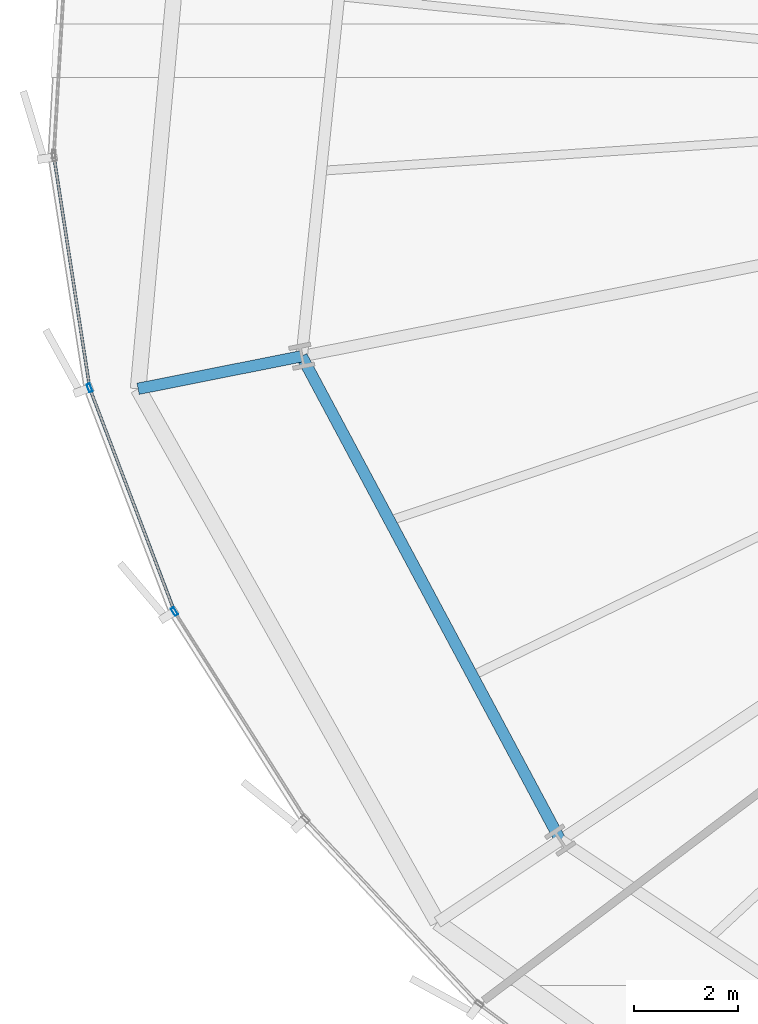
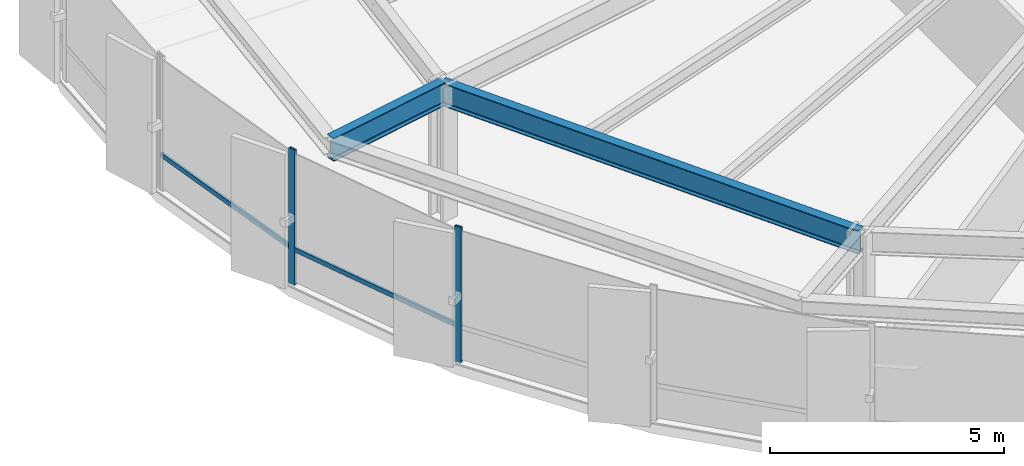
# One storey, part 7 of 39: 4 members, 2 beams, 1 element without a shape of its own.
"""IFC4 building model written with IfcOpenShell, lengths in metres."""

import ifcopenshell
import ifcopenshell.guid

model = None  # the IFC model being written
_history = None  # IfcOwnerHistory: only IFC2X3 demands one
_inside = {}  # id of a spatial element -> (the spatial element, [elements in it])
_under = {}  # id of a project, library or spatial element -> (it, [spatial elements below it])
_declared = {}  # id of a project -> (the project, [libraries it declares])
_typed = {}  # id of a type object -> (the type object, [elements of that type])
_made_of = {}  # id of a material, layer set ... -> (it, [elements and type objects made of it])


def new_model(schema):
    """Start an empty IFC model of exactly this schema.

    Asked for "IFC4X3", IfcOpenShell would pick the latest addendum, in which some entities
    have other attributes; the version numbers below select the first issue.
    IFC2X3 requires an IfcOwnerHistory on every rooted entity: one is made here for all.
    """
    global model, _history
    if schema == "IFC4X3":
        model = ifcopenshell.file(schema_version=(4, 3, 0, 0))
    else:
        model = ifcopenshell.file(schema=schema)
    _inside.clear()
    _under.clear()
    _declared.clear()
    _typed.clear()
    _made_of.clear()
    _history = None
    if model.schema == "IFC2X3":
        org = make("IfcOrganization", Name="unknown")
        user = make(
            "IfcPersonAndOrganization",
            ThePerson=make("IfcPerson", FamilyName="unknown"),
            TheOrganization=org,
        )
        app = make(
            "IfcApplication",
            ApplicationDeveloper=org,
            Version="unknown",
            ApplicationFullName="unknown",
            ApplicationIdentifier="unknown",
        )
        _history = make(
            "IfcOwnerHistory",
            OwningUser=user,
            OwningApplication=app,
            ChangeAction="ADDED",
            CreationDate=0,
        )
    return model


def make(cls, **values):
    """One entity of the class cls with the attributes given. An attribute that is None is left unset."""
    return model.create_entity(
        cls, **{name: value for name, value in values.items() if value is not None}
    )


def rooted(cls, **values):
    """An entity with a GlobalId (a new one), such as an element, a storey or a relation."""
    return make(cls, GlobalId=ifcopenshell.guid.new(), OwnerHistory=_history, **values)


def si_unit(unit_type, name, prefix=None):
    """IfcSIUnit, for example si_unit("LENGTHUNIT", "METRE", prefix="MILLI")."""
    return make("IfcSIUnit", UnitType=unit_type, Prefix=prefix, Name=name)


def assignment(units):
    """IfcUnitAssignment: the units of a project."""
    return None if units is None else make("IfcUnitAssignment", Units=units)


def point(xyz):
    """IfcCartesianPoint."""
    return None if xyz is None else make("IfcCartesianPoint", Coordinates=xyz)


def direction(xyz):
    """IfcDirection."""
    return None if xyz is None else make("IfcDirection", DirectionRatios=xyz)


def frame(location, z_axis=None, x_axis=None):
    """IfcAxis2Placement3D, a coordinate frame: its origin and axes. An axis left out is left unset."""
    return make(
        "IfcAxis2Placement3D",
        Location=point(location),
        Axis=direction(z_axis),
        RefDirection=direction(x_axis),
    )


def frame_2d(location, x_axis=None):
    """IfcAxis2Placement2D, a coordinate frame in the plane: its origin and x axis."""
    return make(
        "IfcAxis2Placement2D", Location=point(location), RefDirection=direction(x_axis)
    )


def origin():
    """The frame at (0, 0, 0) with its axes left unset."""
    return frame((0.0, 0.0, 0.0))


def origin_2d():
    """The frame at (0, 0) in the plane with its x axis left unset."""
    return frame_2d((0.0, 0.0))


def place(relative_to, where):
    """IfcLocalPlacement: puts the frame where relative to a parent placement (None: the world)."""
    return make(
        "IfcLocalPlacement", PlacementRelTo=relative_to, RelativePlacement=where
    )


def context(
    kind, dimensions, precision=None, world=None, true_north=None, identifier=None
):
    """IfcGeometricRepresentationContext, for example the 3D "Model" context."""
    return make(
        "IfcGeometricRepresentationContext",
        ContextIdentifier=identifier,
        ContextType=kind,
        CoordinateSpaceDimension=dimensions,
        Precision=precision,
        WorldCoordinateSystem=world,
        TrueNorth=true_north,
    )


def subcontext(parent, identifier, kind, view, scale=None):
    """IfcGeometricRepresentationSubContext, for example "Body" below "Model"."""
    return make(
        "IfcGeometricRepresentationSubContext",
        ContextIdentifier=identifier,
        ContextType=kind,
        ParentContext=parent,
        TargetScale=scale,
        TargetView=view,
    )


def project(units=None, contexts=None):
    """IfcProject with its units and contexts."""
    return rooted(
        "IfcProject",
        Name="project",
        RepresentationContexts=contexts,
        UnitsInContext=assignment(units),
    )


def spatial(cls, under=None, at=None, **own):
    """A site, building, storey or space (cls), placed at a placement, below another one or the project."""
    s = rooted(cls, ObjectPlacement=at, **own)
    if under is not None:
        _under.setdefault(under.id(), (under, []))[1].append(s)
    return s


def profile(cls, at=None, kind="AREA", **sizes):
    """A parametric profile (cls). Its sizes go by their IFC names, for example OverallWidth=200.0."""
    return make(cls, ProfileType=kind, Position=at, **sizes)


def hollow_rectangle(**sizes):
    """IfcRectangleHollowProfileDef."""
    return profile("IfcRectangleHollowProfileDef", **sizes)


def i_section(**sizes):
    """IfcIShapeProfileDef."""
    return profile("IfcIShapeProfileDef", **sizes)


def extrude(swept, where, along, depth):
    """IfcExtrudedAreaSolid: the profile swept, set in the frame where, extruded along a direction by depth."""
    return make(
        "IfcExtrudedAreaSolid",
        SweptArea=swept,
        Position=where,
        ExtrudedDirection=direction(along),
        Depth=depth,
    )


def shape(context_of_items, identifier, shape_type, items):
    """IfcShapeRepresentation: the items that make up one representation, for example the "Body"."""
    return make(
        "IfcShapeRepresentation",
        ContextOfItems=context_of_items,
        RepresentationIdentifier=identifier,
        RepresentationType=shape_type,
        Items=items,
    )


def source(mapping_origin, context_of_items, identifier, shape_type, items):
    """IfcRepresentationMap: a shape defined once, which mapped items show again and again."""
    return make(
        "IfcRepresentationMap",
        MappingOrigin=mapping_origin,
        MappedRepresentation=shape(context_of_items, identifier, shape_type, items),
    )


def transform(
    local_origin,
    x_axis=None,
    y_axis=None,
    z_axis=None,
    scale=None,
    scale2=None,
    scale3=None,
    uniform=True,
):
    """IfcCartesianTransformationOperator3D, or its non-uniform kind. x_axis, y_axis, z_axis: its Axis1, 2, 3."""
    if uniform:
        return make(
            "IfcCartesianTransformationOperator3D",
            Axis1=direction(x_axis),
            Axis2=direction(y_axis),
            LocalOrigin=point(local_origin),
            Scale=scale,
            Axis3=direction(z_axis),
        )
    return make(
        "IfcCartesianTransformationOperator3DnonUniform",
        Axis1=direction(x_axis),
        Axis2=direction(y_axis),
        LocalOrigin=point(local_origin),
        Scale=scale,
        Axis3=direction(z_axis),
        Scale2=scale2,
        Scale3=scale3,
    )


def mapped(mapping_source, mapping_target):
    """IfcMappedItem: shows the shape of a source again, moved by a transform."""
    return make(
        "IfcMappedItem", MappingSource=mapping_source, MappingTarget=mapping_target
    )


def material(Name=None, Category=None):
    """IfcMaterial."""
    return make("IfcMaterial", Name=Name, Category=Category)


def layer(
    of_material, thickness, ventilated=None, Name=None, Category=None, Priority=None
):
    """IfcMaterialLayer: one layer of a wall or slab, of a material (None: an air gap)."""
    return make(
        "IfcMaterialLayer",
        Material=of_material,
        LayerThickness=thickness,
        IsVentilated=ventilated,
        Name=Name,
        Category=Category,
        Priority=Priority,
    )


def layer_set(layers, Name=None):
    """IfcMaterialLayerSet."""
    return make("IfcMaterialLayerSet", MaterialLayers=layers, LayerSetName=Name)


def material_profile(
    of_material, cross_section, Name=None, Category=None, Priority=None
):
    """IfcMaterialProfile: a cross section and its material."""
    return make(
        "IfcMaterialProfile",
        Name=Name,
        Material=of_material,
        Profile=cross_section,
        Priority=Priority,
        Category=Category,
    )


def profile_set(profiles, Name=None, composite=None):
    """IfcMaterialProfileSet."""
    return make(
        "IfcMaterialProfileSet",
        Name=Name,
        MaterialProfiles=profiles,
        CompositeProfile=composite,
    )


def made_of(thing, what):
    """Note that an element or type object is made of a material, layer set ...; save() writes the relation."""
    if what is not None:
        _made_of.setdefault(what.id(), (what, []))[1].append(thing)
    return thing


def type_object(cls, material=None, **own):
    """A type object (cls), such as IfcWallType, which elements share."""
    return made_of(rooted(cls, **own), material)


def element(
    cls,
    number,
    at=None,
    inside=None,
    cuts=None,
    type_object=None,
    material=None,
    context=None,
    identifier="Body",
    shape_type=None,
    held_by="IfcProductDefinitionShape",
    body=None,
    shapes=None,
    **own,
):
    """One element of the class cls, such as IfcWall. Its Tag is "e" and its number.

    at: its placement. inside: the storey or other place that contains it. cuts: it is an
    opening in that element (IfcRelVoidsElement). A single representation is given by context,
    identifier, shape_type and body (its items); several are given by shapes. held_by: the class
    of the entity that holds the representations. save() writes the other relations.
    """
    e = rooted(cls, Tag="e%d" % number, ObjectPlacement=at, **own)
    if body is not None:
        shapes = [shape(context, identifier, shape_type, body)]
    if shapes is not None:
        e.Representation = make(held_by, Representations=shapes)
    if inside is not None:
        _inside.setdefault(inside.id(), (inside, []))[1].append(e)
    if cuts is not None:
        rooted(
            "IfcRelVoidsElement", RelatingBuildingElement=cuts, RelatedOpeningElement=e
        )
    if type_object is not None:
        _typed.setdefault(type_object.id(), (type_object, []))[1].append(e)
    return made_of(e, material)


def aggregate(whole, parts):
    """IfcRelAggregates: a whole, such as a stair, and the parts it consists of."""
    return rooted("IfcRelAggregates", RelatingObject=whole, RelatedObjects=parts)


def save(model, path):
    """Write the relations noted so far, then the file.

    IfcRelAggregates (storeys below a building ...), IfcRelContainedInSpatialStructure (elements
    in a storey), IfcRelDefinesByType, IfcRelAssociatesMaterial and IfcRelDeclares: one each for
    every whole, place, type object, material and project.
    """
    for whole, parts in _under.values():
        aggregate(whole, parts)
    for where, things in _inside.values():
        rooted(
            "IfcRelContainedInSpatialStructure",
            RelatedElements=things,
            RelatingStructure=where,
        )
    for kind, things in _typed.values():
        rooted("IfcRelDefinesByType", RelatedObjects=things, RelatingType=kind)
    for what, things in _made_of.values():
        rooted("IfcRelAssociatesMaterial", RelatedObjects=things, RelatingMaterial=what)
    for by, libraries in _declared.values():
        rooted("IfcRelDeclares", RelatingContext=by, RelatedDefinitions=libraries)
    model.write(path)


model = new_model("IFC4")

# Units and contexts
model_context = context("Model", 3, precision=1e-05, world=origin(), true_north=direction((0.0, 1.0)))
body_context = subcontext(model_context, "Body", "Model", "MODEL_VIEW")
ifc_project = project(units=[si_unit("LENGTHUNIT", "METRE"), si_unit("AREAUNIT", "SQUARE_METRE"), si_unit("VOLUMEUNIT", "CUBIC_METRE"), si_unit("PLANEANGLEUNIT", "RADIAN"), si_unit("MASSUNIT", "GRAM", prefix="KILO"), si_unit("THERMODYNAMICTEMPERATUREUNIT", "KELVIN")], contexts=[model_context])

# Site, building, storey
site_placement = place(None, origin())
site = spatial("IfcSite", under=ifc_project, at=site_placement, CompositionType="ELEMENT")
building_placement = place(site_placement, origin())
building = spatial("IfcBuilding", under=site, at=building_placement, Name="Kethvar Cultural Tower", CompositionType="ELEMENT")
storey_placement = place(building_placement, frame((0.0, 0.0, 41.0)))
storey = spatial("IfcBuildingStorey", under=building, at=storey_placement, Name="L09", CompositionType="ELEMENT", Elevation=41.0)

# Beams
ifc_material_1 = material(Name="Steel S355J2", Category="steel")
ifc_material_profile_1 = material_profile(ifc_material_1, i_section(OverallWidth=0.219970703125, OverallDepth=0.60009765625, WebThickness=0.011962890625, FlangeThickness=0.01904296875, FilletRadius=0.02392578125, at=origin_2d()), Name="Steel S355J2 — IPE600")
ifc_profile_set_1 = profile_set([ifc_material_profile_1], Name="Steel S355J2 — IPE600")
beam_type = type_object("IfcBeamType", Name="BM-IPE600", PredefinedType="BEAM", material=ifc_profile_set_1)
shared_shape_1 = source(origin(), body_context, "Body", "SweptSolid", [
    extrude(i_section(OverallWidth=0.219970703125, OverallDepth=0.60009765625, WebThickness=0.011962890625, FlangeThickness=0.01904296875, FilletRadius=0.02392578125, at=origin_2d()), origin(), (0.0, 0.0, 1.0), 3.199951171875),
])
beam_1_placement = place(storey_placement, frame((19.9658203125, 22.46240234375, 3.248046875), z_axis=(-0.980785550224, -0.195088965533, 0.0), x_axis=(0.195088965533, -0.980785550224, 0.0)))
element("IfcBeam", 1, at=beam_1_placement, inside=storey, type_object=beam_type, Name="L09 Perimeter Cantilever Beam RC-09", PredefinedType="BEAM", context=body_context, shape_type="MappedRepresentation", body=[
    mapped(shared_shape_1, transform((0.0, 0.0, 0.0), scale=1.0)),
])
shared_shape_2 = source(origin(), body_context, "Body", "SweptSolid", [
    extrude(i_section(OverallWidth=0.219970703125, OverallDepth=0.60009765625, WebThickness=0.011962890625, FlangeThickness=0.01904296875, FilletRadius=0.02392578125, at=origin_2d()), origin(), (0.0, 0.0, 1.0), 10.52099609375),
])
beam_2_placement = place(storey_placement, frame((19.9658203125, 22.46240234375, 3.248046875), z_axis=(0.471339616984, -0.881951793162, 0.0), x_axis=(0.881951793162, 0.471339616984, 0.0)))
element("IfcBeam", 2, at=beam_2_placement, inside=storey, type_object=beam_type, Name="L09 Column Ring Tie Beam CR-09", PredefinedType="BEAM", context=body_context, shape_type="MappedRepresentation", body=[
    mapped(shared_shape_2, transform((0.0, 0.0, 0.0), scale=1.0)),
])

# Curtain wall, members
ifc_material_2 = material(Name="Aluminium 6063-T6", Category="aluminium")
ifc_layer = layer(ifc_material_2, 0.179931640625, Name="Aluminium 6063-T6", Category="aluminium")
ifc_layer_set = layer_set([ifc_layer], Name="Aluminium 6063-T6 (180 mm)")
curtain_wall_type = type_object("IfcCurtainWallType", Name="CW-SYS-02-Z1", PredefinedType="NOTDEFINED", material=ifc_layer_set)
curtain_wall_placement = place(storey_placement, origin())
curtain_wall = element("IfcCurtainWall", 3, at=curtain_wall_placement, inside=storey, type_object=curtain_wall_type, Name="L09 Curtain Wall Run 04", PredefinedType="NOTDEFINED")
ifc_material_profile_2 = material_profile(ifc_material_2, hollow_rectangle(XDim=0.06494140625, YDim=0.159912109375, WallThickness=0.0048828125, at=origin_2d()), Name="Aluminium 6063-T6 — RHS160x65x5")
ifc_profile_set_2 = profile_set([ifc_material_profile_2], Name="Aluminium 6063-T6 — RHS160x65x5")
member_type_1 = type_object("IfcMemberType", Name="CW-SYS-02-Z1-MUL", PredefinedType="MULLION", material=ifc_profile_set_2)
shared_shape_3 = source(origin(), body_context, "Body", "SweptSolid", [
    extrude(hollow_rectangle(XDim=0.06494140625, YDim=0.159912109375, WallThickness=0.0048828125, at=origin_2d()), origin(), (0.0, 0.0, 1.0), 3.550048828125),
])
member_1_placement = place(storey_placement, frame((15.897216796875, 21.85595703125, 0.0), z_axis=(0.0, 0.0, 1.0), x_axis=(0.934819478468, 0.35512327814, 0.0)))
member_1 = element("IfcMember", 4, at=member_1_placement, type_object=member_type_1, Name="CW-L09-R04 Mullion 2", PredefinedType="MULLION", context=body_context, shape_type="MappedRepresentation", body=[
    mapped(shared_shape_3, transform((0.0, 0.0, 0.0), scale=1.0)),
])
member_2_placement = place(storey_placement, frame((17.523193359375, 17.568359375, 0.0), z_axis=(0.0, 0.0, 1.0), x_axis=(0.844953928181, 0.5348390966, 0.0)))
member_2 = element("IfcMember", 5, at=member_2_placement, type_object=member_type_1, Name="CW-L09-R04 Mullion 3", PredefinedType="MULLION", context=body_context, shape_type="MappedRepresentation", body=[
    mapped(shared_shape_3, transform((0.0, 0.0, 0.0), scale=1.0)),
])
ifc_material_profile_3 = material_profile(ifc_material_2, hollow_rectangle(XDim=0.054931640625, YDim=0.1201171875, WallThickness=0.00390625, at=origin_2d()), Name="Aluminium 6063-T6 — RHS120x55x4")
ifc_profile_set_3 = profile_set([ifc_material_profile_3], Name="Aluminium 6063-T6 — RHS120x55x4")
member_type_2 = type_object("IfcMemberType", Name="CW-SYS-02-Z1-TRN", PredefinedType="USERDEFINED", material=ifc_profile_set_3)
shared_shape_4 = source(origin(), body_context, "Body", "SweptSolid", [
    extrude(hollow_rectangle(XDim=0.054931640625, YDim=0.1201171875, WallThickness=0.00390625, at=origin_2d()), origin(), (0.0, 0.0, 1.0), 4.51611328125),
])
member_3_placement = place(storey_placement, frame((15.913818359375, 21.812255859375, 0.949951171875), z_axis=(0.355125169663, -0.934818759906, 0.0), x_axis=(0.934818759906, 0.355125169663, 0.0)))
member_3 = element("IfcMember", 6, at=member_3_placement, type_object=member_type_2, Name="CW-L09-R04 Transom 2", ObjectType="TRANSOM", PredefinedType="USERDEFINED", context=body_context, shape_type="MappedRepresentation", body=[
    mapped(shared_shape_4, transform((0.0, 0.0, 0.0), scale=1.0)),
])
shared_shape_5 = source(origin(), body_context, "Body", "SweptSolid", [
    extrude(hollow_rectangle(XDim=0.054931640625, YDim=0.1201171875, WallThickness=0.00390625, at=origin_2d()), origin(), (0.0, 0.0, 1.0), 4.450927734375),
])
member_4_placement = place(storey_placement, frame((15.216064453125, 26.276611328125, 0.949951171875), z_axis=(0.152815545025, -0.988254728903, 0.0), x_axis=(0.988254728903, 0.152815545025, 0.0)))
member_4 = element("IfcMember", 7, at=member_4_placement, type_object=member_type_2, Name="CW-L09-R04 Transom 1", ObjectType="TRANSOM", PredefinedType="USERDEFINED", context=body_context, shape_type="MappedRepresentation", body=[
    mapped(shared_shape_5, transform((0.0, 0.0, 0.0), scale=1.0)),
])
aggregate(curtain_wall, [member_1, member_2, member_4, member_3])

save(model, "model.ifc")
